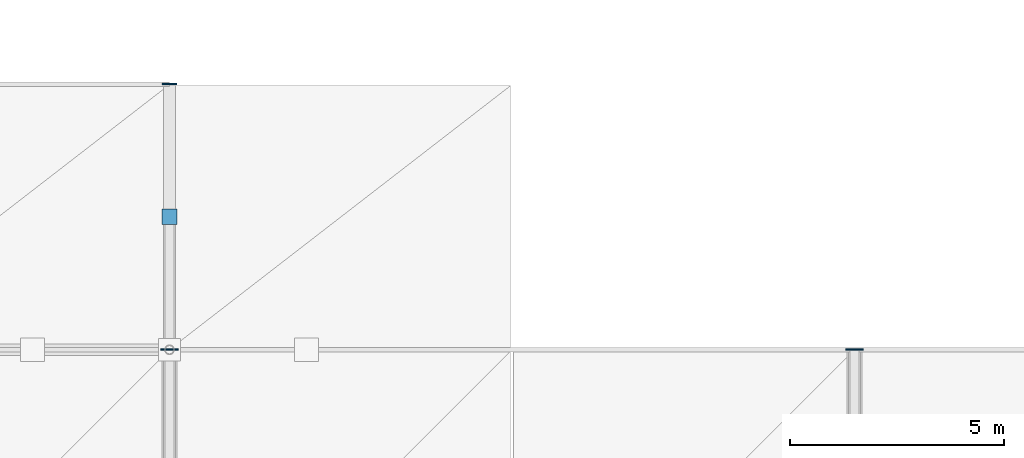
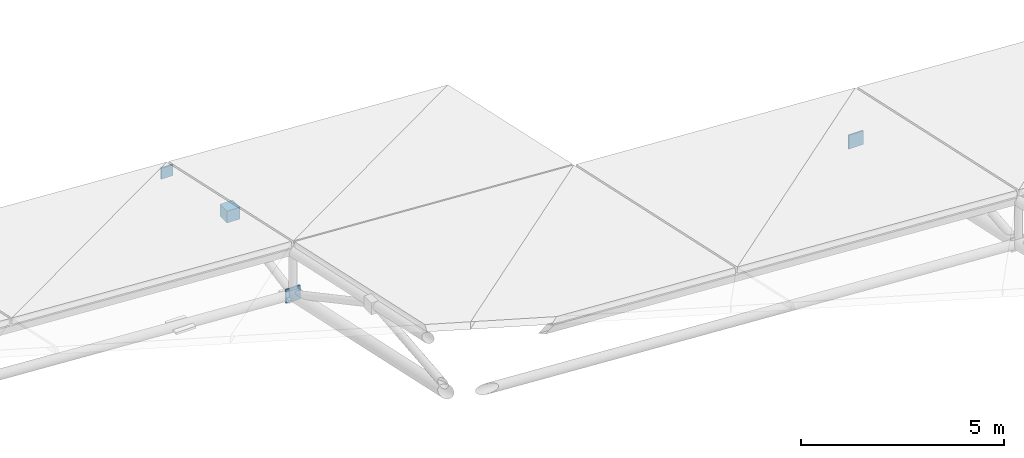
# One storey, part 63 of 67: 4 discrete accessories.
"""IFC4 building model written with IfcOpenShell, lengths in metres."""

import ifcopenshell
import ifcopenshell.guid

model = None  # the IFC model being written
_history = None  # IfcOwnerHistory: only IFC2X3 demands one
_inside = {}  # id of a spatial element -> (the spatial element, [elements in it])
_under = {}  # id of a project, library or spatial element -> (it, [spatial elements below it])
_declared = {}  # id of a project -> (the project, [libraries it declares])
_typed = {}  # id of a type object -> (the type object, [elements of that type])
_made_of = {}  # id of a material, layer set ... -> (it, [elements and type objects made of it])


def new_model(schema):
    """Start an empty IFC model of exactly this schema.

    Asked for "IFC4X3", IfcOpenShell would pick the latest addendum, in which some entities
    have other attributes; the version numbers below select the first issue.
    IFC2X3 requires an IfcOwnerHistory on every rooted entity: one is made here for all.
    """
    global model, _history
    if schema == "IFC4X3":
        model = ifcopenshell.file(schema_version=(4, 3, 0, 0))
    else:
        model = ifcopenshell.file(schema=schema)
    _inside.clear()
    _under.clear()
    _declared.clear()
    _typed.clear()
    _made_of.clear()
    _history = None
    if model.schema == "IFC2X3":
        org = make("IfcOrganization", Name="unknown")
        user = make(
            "IfcPersonAndOrganization",
            ThePerson=make("IfcPerson", FamilyName="unknown"),
            TheOrganization=org,
        )
        app = make(
            "IfcApplication",
            ApplicationDeveloper=org,
            Version="unknown",
            ApplicationFullName="unknown",
            ApplicationIdentifier="unknown",
        )
        _history = make(
            "IfcOwnerHistory",
            OwningUser=user,
            OwningApplication=app,
            ChangeAction="ADDED",
            CreationDate=0,
        )
    return model


def make(cls, **values):
    """One entity of the class cls with the attributes given. An attribute that is None is left unset."""
    return model.create_entity(
        cls, **{name: value for name, value in values.items() if value is not None}
    )


def rooted(cls, **values):
    """An entity with a GlobalId (a new one), such as an element, a storey or a relation."""
    return make(cls, GlobalId=ifcopenshell.guid.new(), OwnerHistory=_history, **values)


def si_unit(unit_type, name, prefix=None):
    """IfcSIUnit, for example si_unit("LENGTHUNIT", "METRE", prefix="MILLI")."""
    return make("IfcSIUnit", UnitType=unit_type, Prefix=prefix, Name=name)


def assignment(units):
    """IfcUnitAssignment: the units of a project."""
    return None if units is None else make("IfcUnitAssignment", Units=units)


def point(xyz):
    """IfcCartesianPoint."""
    return None if xyz is None else make("IfcCartesianPoint", Coordinates=xyz)


def direction(xyz):
    """IfcDirection."""
    return None if xyz is None else make("IfcDirection", DirectionRatios=xyz)


def frame(location, z_axis=None, x_axis=None):
    """IfcAxis2Placement3D, a coordinate frame: its origin and axes. An axis left out is left unset."""
    return make(
        "IfcAxis2Placement3D",
        Location=point(location),
        Axis=direction(z_axis),
        RefDirection=direction(x_axis),
    )


def frame_2d(location, x_axis=None):
    """IfcAxis2Placement2D, a coordinate frame in the plane: its origin and x axis."""
    return make(
        "IfcAxis2Placement2D", Location=point(location), RefDirection=direction(x_axis)
    )


def origin():
    """The frame at (0, 0, 0) with its axes left unset."""
    return frame((0.0, 0.0, 0.0))


def origin_2d():
    """The frame at (0, 0) in the plane with its x axis left unset."""
    return frame_2d((0.0, 0.0))


def place(relative_to, where):
    """IfcLocalPlacement: puts the frame where relative to a parent placement (None: the world)."""
    return make(
        "IfcLocalPlacement", PlacementRelTo=relative_to, RelativePlacement=where
    )


def context(
    kind, dimensions, precision=None, world=None, true_north=None, identifier=None
):
    """IfcGeometricRepresentationContext, for example the 3D "Model" context."""
    return make(
        "IfcGeometricRepresentationContext",
        ContextIdentifier=identifier,
        ContextType=kind,
        CoordinateSpaceDimension=dimensions,
        Precision=precision,
        WorldCoordinateSystem=world,
        TrueNorth=true_north,
    )


def subcontext(parent, identifier, kind, view, scale=None):
    """IfcGeometricRepresentationSubContext, for example "Body" below "Model"."""
    return make(
        "IfcGeometricRepresentationSubContext",
        ContextIdentifier=identifier,
        ContextType=kind,
        ParentContext=parent,
        TargetScale=scale,
        TargetView=view,
    )


def project(units=None, contexts=None):
    """IfcProject with its units and contexts."""
    return rooted(
        "IfcProject",
        Name="project",
        RepresentationContexts=contexts,
        UnitsInContext=assignment(units),
    )


def spatial(cls, under=None, at=None, **own):
    """A site, building, storey or space (cls), placed at a placement, below another one or the project."""
    s = rooted(cls, ObjectPlacement=at, **own)
    if under is not None:
        _under.setdefault(under.id(), (under, []))[1].append(s)
    return s


def profile(cls, at=None, kind="AREA", **sizes):
    """A parametric profile (cls). Its sizes go by their IFC names, for example OverallWidth=200.0."""
    return make(cls, ProfileType=kind, Position=at, **sizes)


def rectangle(**sizes):
    """IfcRectangleProfileDef."""
    return profile("IfcRectangleProfileDef", **sizes)


def extrude(swept, where, along, depth):
    """IfcExtrudedAreaSolid: the profile swept, set in the frame where, extruded along a direction by depth."""
    return make(
        "IfcExtrudedAreaSolid",
        SweptArea=swept,
        Position=where,
        ExtrudedDirection=direction(along),
        Depth=depth,
    )


def shape(context_of_items, identifier, shape_type, items):
    """IfcShapeRepresentation: the items that make up one representation, for example the "Body"."""
    return make(
        "IfcShapeRepresentation",
        ContextOfItems=context_of_items,
        RepresentationIdentifier=identifier,
        RepresentationType=shape_type,
        Items=items,
    )


def material(Name=None, Category=None):
    """IfcMaterial."""
    return make("IfcMaterial", Name=Name, Category=Category)


def made_of(thing, what):
    """Note that an element or type object is made of a material, layer set ...; save() writes the relation."""
    if what is not None:
        _made_of.setdefault(what.id(), (what, []))[1].append(thing)
    return thing


def type_object(cls, material=None, **own):
    """A type object (cls), such as IfcWallType, which elements share."""
    return made_of(rooted(cls, **own), material)


def element(
    cls,
    number,
    at=None,
    inside=None,
    cuts=None,
    type_object=None,
    material=None,
    context=None,
    identifier="Body",
    shape_type=None,
    held_by="IfcProductDefinitionShape",
    body=None,
    shapes=None,
    **own,
):
    """One element of the class cls, such as IfcWall. Its Tag is "e" and its number.

    at: its placement. inside: the storey or other place that contains it. cuts: it is an
    opening in that element (IfcRelVoidsElement). A single representation is given by context,
    identifier, shape_type and body (its items); several are given by shapes. held_by: the class
    of the entity that holds the representations. save() writes the other relations.
    """
    e = rooted(cls, Tag="e%d" % number, ObjectPlacement=at, **own)
    if body is not None:
        shapes = [shape(context, identifier, shape_type, body)]
    if shapes is not None:
        e.Representation = make(held_by, Representations=shapes)
    if inside is not None:
        _inside.setdefault(inside.id(), (inside, []))[1].append(e)
    if cuts is not None:
        rooted(
            "IfcRelVoidsElement", RelatingBuildingElement=cuts, RelatedOpeningElement=e
        )
    if type_object is not None:
        _typed.setdefault(type_object.id(), (type_object, []))[1].append(e)
    return made_of(e, material)


def aggregate(whole, parts):
    """IfcRelAggregates: a whole, such as a stair, and the parts it consists of."""
    return rooted("IfcRelAggregates", RelatingObject=whole, RelatedObjects=parts)


def save(model, path):
    """Write the relations noted so far, then the file.

    IfcRelAggregates (storeys below a building ...), IfcRelContainedInSpatialStructure (elements
    in a storey), IfcRelDefinesByType, IfcRelAssociatesMaterial and IfcRelDeclares: one each for
    every whole, place, type object, material and project.
    """
    for whole, parts in _under.values():
        aggregate(whole, parts)
    for where, things in _inside.values():
        rooted(
            "IfcRelContainedInSpatialStructure",
            RelatedElements=things,
            RelatingStructure=where,
        )
    for kind, things in _typed.values():
        rooted("IfcRelDefinesByType", RelatedObjects=things, RelatingType=kind)
    for what, things in _made_of.values():
        rooted("IfcRelAssociatesMaterial", RelatedObjects=things, RelatingMaterial=what)
    for by, libraries in _declared.values():
        rooted("IfcRelDeclares", RelatingContext=by, RelatedDefinitions=libraries)
    model.write(path)


model = new_model("IFC4")

# Units and contexts
model_context = context("Model", 3, precision=1e-05, world=origin(), true_north=direction((0.0, 1.0)))
body_context = subcontext(model_context, "Body", "Model", "MODEL_VIEW")
ifc_project = project(units=[si_unit("LENGTHUNIT", "METRE"), si_unit("AREAUNIT", "SQUARE_METRE"), si_unit("VOLUMEUNIT", "CUBIC_METRE"), si_unit("PLANEANGLEUNIT", "RADIAN"), si_unit("MASSUNIT", "GRAM", prefix="KILO")], contexts=[model_context])

# Site, building, storey
site_placement = place(None, origin())
site = spatial("IfcSite", under=ifc_project, at=site_placement, CompositionType="ELEMENT")
building_placement = place(site_placement, origin())
building = spatial("IfcBuilding", under=site, at=building_placement, Name="Drelvath Fold Interchange", CompositionType="ELEMENT")
storey_placement = place(building_placement, frame((0.0, 0.0, 15.60009765625)))
storey = spatial("IfcBuildingStorey", under=building, at=storey_placement, Name="L03", CompositionType="ELEMENT", Elevation=15.60009765625)

# Discrete accessories
ifc_material = material(Name="Steel ASTM A572 Grade 50", Category="steel")
discrete_accessory_type = type_object("IfcDiscreteAccessoryType", Name="AC-CAP380", PredefinedType="BRACKET", material=ifc_material)
discrete_accessory_1_placement = place(storey_placement, frame((134.0, 67.0048828125, -0.0341796875), z_axis=(0.0, 0.0, 1.0), x_axis=(1.0, 0.0, 0.0)))
element("IfcDiscreteAccessory", 1, at=discrete_accessory_1_placement, inside=storey, type_object=discrete_accessory_type, Name="Welded hollow member end cap 225", PredefinedType="BRACKET", context=body_context, shape_type="SweptSolid", body=[
    extrude(rectangle(XDim=0.416015625, YDim=0.0400390625, at=origin_2d()), origin(), (0.0, 0.0, 1.0), 0.416015625),
])
discrete_accessory_2_placement = place(storey_placement, frame((134.0, 73.205078125, -0.07470703125), z_axis=(0.0, 0.0, 1.0), x_axis=(1.0, 0.0, 0.0)))
element("IfcDiscreteAccessory", 2, at=discrete_accessory_2_placement, inside=storey, type_object=discrete_accessory_type, Name="Welded hollow member end cap 228", PredefinedType="BRACKET", context=body_context, shape_type="SweptSolid", body=[
    extrude(rectangle(XDim=0.3330078125, YDim=0.0400390625, at=origin_2d()), origin(), (0.0, 0.0, 1.0), 0.3330078125),
])
discrete_accessory_3_placement = place(storey_placement, frame((134.0, 70.10498046875, 0.590576171875), z_axis=(0.0, 0.0, 1.0), x_axis=(1.0, 0.0, 0.0)))
element("IfcDiscreteAccessory", 3, at=discrete_accessory_3_placement, inside=storey, type_object=discrete_accessory_type, Name="Welded hollow member end cap 229", PredefinedType="BRACKET", context=body_context, shape_type="SweptSolid", body=[
    extrude(rectangle(XDim=0.35888671875, YDim=0.35888671875, at=origin_2d()), origin(), (0.0, 0.0, 1.0), 0.35888671875),
])
discrete_accessory_4_placement = place(storey_placement, frame((150.0, 67.0048828125, -0.9970703125), z_axis=(0.0, 0.0, 1.0), x_axis=(1.0, 0.0, 0.0)))
element("IfcDiscreteAccessory", 4, at=discrete_accessory_4_placement, inside=storey, type_object=discrete_accessory_type, Name="Welded hollow member end cap 241", PredefinedType="BRACKET", context=body_context, shape_type="SweptSolid", body=[
    extrude(rectangle(XDim=0.416015625, YDim=0.0400390625, at=origin_2d()), origin(), (0.0, 0.0, 1.0), 0.416015625),
])

save(model, "model.ifc")
